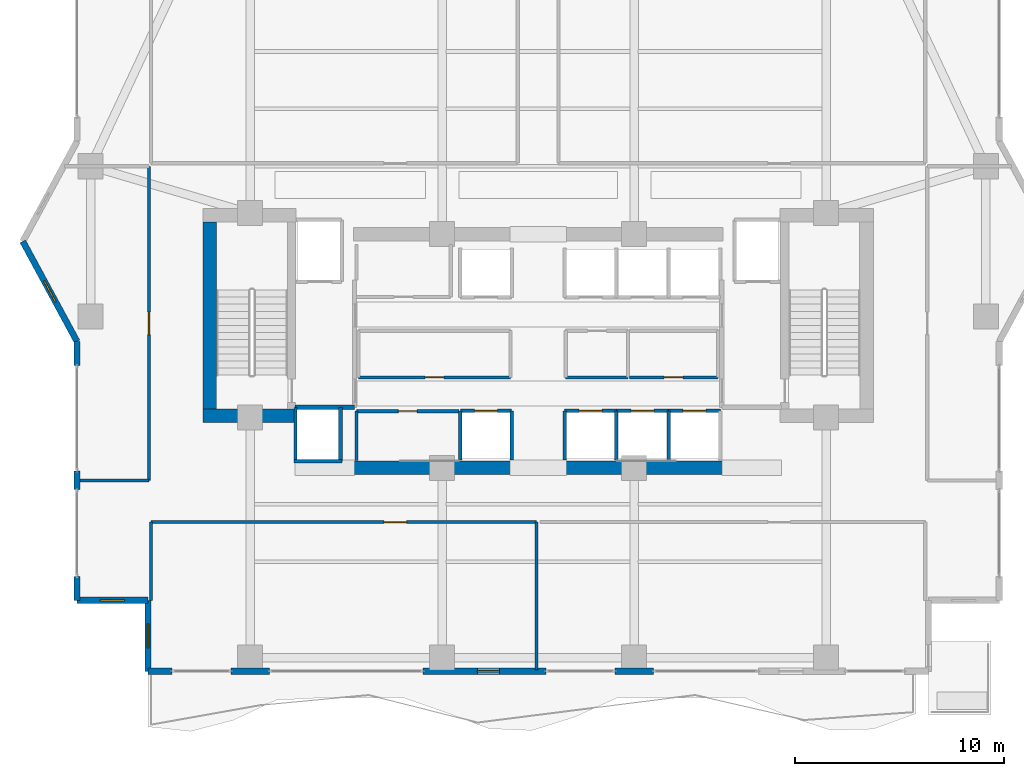
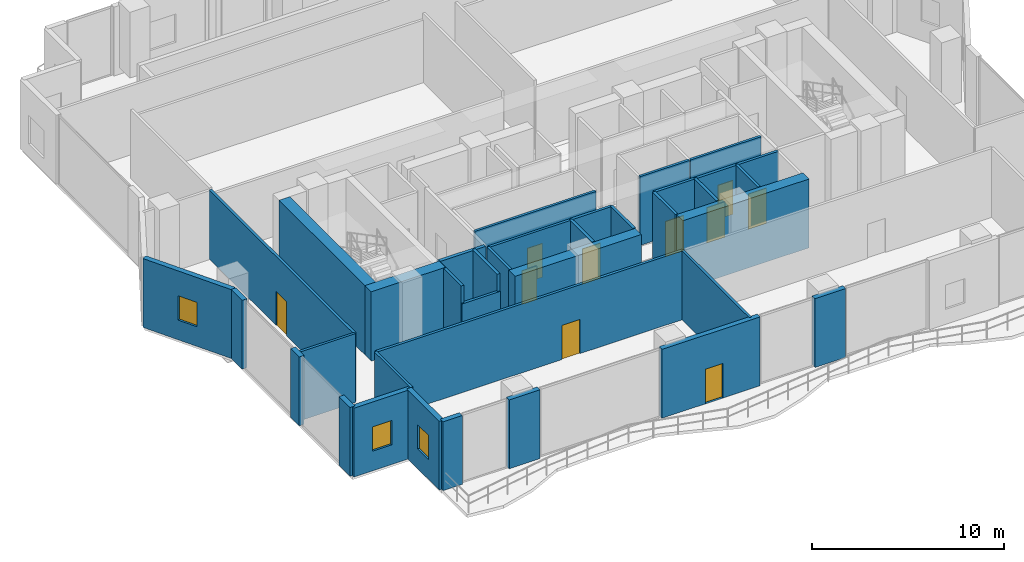
# One storey, part 26 of 33: 37 walls, 10 doors, 3 windows, 13 openings.
"""IFC4 building model written with IfcOpenShell, lengths in metres."""

from ifc_helpers import new_model, si_unit, direction, frame, frame_2d, origin, place, context, subcontext, project, spatial, rectangle, extrude, material, layer, layer_set, type_object, element, fill, save


model = new_model("IFC4")

# Units and contexts
model_context = context("Model", 3, precision=1e-05, world=origin(), true_north=direction((0.0, 1.0)))
body_context = subcontext(model_context, "Body", "Model", "MODEL_VIEW")
ifc_project = project(units=[si_unit("LENGTHUNIT", "METRE"), si_unit("AREAUNIT", "SQUARE_METRE"), si_unit("VOLUMEUNIT", "CUBIC_METRE"), si_unit("PLANEANGLEUNIT", "RADIAN"), si_unit("MASSUNIT", "GRAM", prefix="KILO")], contexts=[model_context])

# Site, building, storey
site_placement = place(None, origin())
site = spatial("IfcSite", under=ifc_project, at=site_placement, CompositionType="ELEMENT")
building_placement = place(site_placement, origin())
building = spatial("IfcBuilding", under=site, at=building_placement, Name="Zuhayl Quay Hotel", CompositionType="ELEMENT")
storey_placement = place(building_placement, frame((0.0, 0.0, 168.199951171875)))
storey = spatial("IfcBuildingStorey", under=building, at=storey_placement, Name="L42", CompositionType="ELEMENT", Elevation=168.199951171875)

# Walls
ifc_material_1 = material(Name="Concrete C50/60", Category="concrete")
ifc_layer_1 = layer(ifc_material_1, 0.64990234375, Name="Concrete C50/60", Category="concrete")
ifc_layer_set_1 = layer_set([ifc_layer_1], Name="Concrete C50/60")
wall_type_1 = type_object("IfcWallType", Name="WL_CORE_650", PredefinedType="SHEAR", material=ifc_layer_set_1)
wall_1_placement = place(storey_placement, frame((-15.735107421875, 4.969970703125, 0.0), z_axis=(0.0, 0.0, 1.0), x_axis=(0.0, 1.0, 0.0)))
element("IfcWall", 1, at=wall_1_placement, inside=storey, type_object=wall_type_1, Name="L42 Core Shear Wall CW_W", PredefinedType="SHEAR", context=body_context, shape_type="SweptSolid", body=[
    extrude(rectangle(XDim=8.9599609375, YDim=0.64990234375, at=frame_2d((4.47998046875, 0.0))), origin(), (0.0, 0.0, 1.0), 4.41015625),
])
wall_2_placement = place(storey_placement, frame((-16.06005859375, 4.64501953125, 0.0), z_axis=(0.0, 0.0, 1.0), x_axis=(1.0, 0.0, 0.0)))
element("IfcWall", 2, at=wall_2_placement, inside=storey, type_object=wall_type_1, Name="L42 Core Shear Wall CW_SW", PredefinedType="SHEAR", context=body_context, shape_type="SweptSolid", body=[
    extrude(rectangle(XDim=4.4599609375, YDim=0.64990234375, at=frame_2d((2.22998046875, 0.0))), origin(), (0.0, 0.0, 1.0), 4.41015625),
])
for number, where, z_axis, x_axis, name in (
    (3, (-8.85009765625, 2.14990234375, 0.0), (0.0, 0.0, 1.0), (1.0, 0.0, 0.0), "L42 Core Shear Wall CW_SC_W"),
    (4, (1.25, 2.14990234375, 0.0), (0.0, 0.0, 1.0), (1.0, 0.0, 0.0), "L42 Core Shear Wall CW_SC_E"),
):
    element("IfcWall", number, at=place(storey_placement, frame(where, z_axis=z_axis, x_axis=x_axis)), inside=storey, type_object=wall_type_1, Name=name, PredefinedType="SHEAR", context=body_context, shape_type="SweptSolid", body=[
        extrude(rectangle(XDim=7.60009765625, YDim=0.64990234375, at=frame_2d((3.800048828125, 0.0))), origin(), (0.0, 0.0, 1.0), 4.380126953125),
    ])

# Wall, opening, window
ifc_material_2 = material(Name="Precast concrete C45/55", Category="concrete")
ifc_layer_2 = layer(ifc_material_2, 0.300048828125, Name="Precast concrete C45/55", Category="concrete")
ifc_layer_set_2 = layer_set([ifc_layer_2], Name="Precast concrete C45/55")
wall_type_2 = type_object("IfcWallType", Name="WL_EXT_300", PredefinedType="STANDARD", material=ifc_layer_set_2)
wall_3_placement = place(storey_placement, frame((-18.699951171875, -4.199951171875, 0.0), z_axis=(0.0, 0.0, 1.0), x_axis=(-1.0, 0.0, 0.0)))
wall_3 = element("IfcWall", 5, at=wall_3_placement, inside=storey, type_object=wall_type_2, Name="L42 Exterior Precast Wall ENV_L42_EW01", PredefinedType="STANDARD", context=body_context, shape_type="SweptSolid", body=[
    extrude(rectangle(XDim=3.400146484375, YDim=0.300048828125, at=frame_2d((1.7001953125, 0.0))), origin(), (0.0, 0.0, 1.0), 4.380126953125),
])
opening_1_placement = place(wall_3_placement, frame((1.125, 0.0, 1.25)))
opening_1 = element("IfcOpeningElement", 6, at=opening_1_placement, cuts=wall_3, Name="Opening W01N", PredefinedType="OPENING", context=body_context, shape_type="SweptSolid", body=[
    extrude(rectangle(XDim=1.14990234375, YDim=1.550048828125, at=frame_2d((0.574951171875, 0.77490234375))), frame((0.0, 0.159912109375, 0.0), z_axis=(0.0, -1.0, 0.0), x_axis=(1.0, 0.0, 0.0)), (0.0, 0.0, 1.0), 0.320068359375),
])
ifc_material_3 = material(Name="Dark Ceramic-Fritted Solar Glass", Category="glass")
window_type = type_object("IfcWindowType", Name="WN_NOTCH_1350", PartitioningType="SINGLE_PANEL", PredefinedType="WINDOW", material=ifc_material_3)
window_1_placement = place(opening_1_placement, origin())
window_1 = element("IfcWindow", 7, at=window_1_placement, inside=storey, type_object=window_type, Name="L42 Corner Notch Window 1", OverallHeight=1.550048828125, OverallWidth=1.14990234375, PartitioningType="SINGLE_PANEL", PredefinedType="WINDOW", context=body_context, shape_type="SweptSolid", body=[
    extrude(rectangle(XDim=1.14990234375, YDim=1.550048828125, at=frame_2d((0.574951171875, 0.77490234375))), frame((0.0, 0.030029296875, 0.0), z_axis=(0.0, -1.0, 0.0), x_axis=(1.0, 0.0, 0.0)), (0.0, 0.0, 1.0), 0.06005859375),
])
fill(opening_1, window_1)

# Walls
wall_4_placement = place(storey_placement, frame((-22.10009765625, -4.199951171875, 0.0), z_axis=(0.0, 0.0, 1.0), x_axis=(0.0, 1.0, 0.0)))
element("IfcWall", 8, at=wall_4_placement, inside=storey, type_object=wall_type_2, Name="L42 Exterior Precast Wall ENV_L42_E02_EW1", PredefinedType="STANDARD", context=body_context, shape_type="SweptSolid", body=[
    extrude(rectangle(XDim=1.14990234375, YDim=0.300048828125, at=frame_2d((0.574951171875, 0.0))), origin(), (0.0, 0.0, 1.0), 4.380126953125),
])
wall_5_placement = place(storey_placement, frame((-22.10009765625, 1.10009765625, 0.0), z_axis=(0.0, 0.0, 1.0), x_axis=(0.0, 1.0, 0.0)))
element("IfcWall", 9, at=wall_5_placement, inside=storey, type_object=wall_type_2, Name="L42 Exterior Precast Wall ENV_L42_E02_EW2", PredefinedType="STANDARD", context=body_context, shape_type="SweptSolid", body=[
    extrude(rectangle(XDim=0.89990234375, YDim=0.300048828125, at=frame_2d((0.449951171875, 0.0))), origin(), (0.0, 0.0, 1.0), 4.380126953125),
])
wall_6_placement = place(storey_placement, frame((-22.10009765625, 7.050048828125, 0.0), z_axis=(0.0, 0.0, 1.0), x_axis=(0.0, 1.0, 0.0)))
element("IfcWall", 10, at=wall_6_placement, inside=storey, type_object=wall_type_2, Name="L42 Exterior Precast Wall ENV_L42_E02_EW3", PredefinedType="STANDARD", context=body_context, shape_type="SweptSolid", body=[
    extrude(rectangle(XDim=1.14990234375, YDim=0.300048828125, at=frame_2d((0.574951171875, 0.0))), origin(), (0.0, 0.0, 1.0), 4.380126953125),
])

# Wall, opening, window
wall_7_placement = place(storey_placement, frame((-22.10009765625, 8.199951171875, 0.0), z_axis=(0.0, 0.0, 1.0), x_axis=(-0.476258655584, 0.879305233114, 0.0)))
wall_7 = element("IfcWall", 11, at=wall_7_placement, inside=storey, type_object=wall_type_2, Name="L42 Exterior Precast Wall ENV_L42_EW03", PredefinedType="STANDARD", context=body_context, shape_type="SweptSolid", body=[
    extrude(rectangle(XDim=5.458984375, YDim=0.300048828125, at=frame_2d((2.7294921875, 0.0))), origin(), (0.0, 0.0, 1.0), 4.380126953125),
])
opening_2_placement = place(wall_7_placement, frame((2.154541015625, 0.0, 1.25)))
opening_2 = element("IfcOpeningElement", 12, at=opening_2_placement, cuts=wall_7, Name="Opening W01N", PredefinedType="OPENING", context=body_context, shape_type="SweptSolid", body=[
    extrude(rectangle(XDim=1.14990234375, YDim=1.550048828125, at=frame_2d((0.574951171875, 0.77490234375))), frame((0.0, 0.159912109375, 0.0), z_axis=(0.0, -1.0, 0.0), x_axis=(1.0, 0.0, 0.0)), (0.0, 0.0, 1.0), 0.320068359375),
])
window_2_placement = place(opening_2_placement, origin())
window_2 = element("IfcWindow", 13, at=window_2_placement, inside=storey, type_object=window_type, Name="L42 Corner Notch Window 3", OverallHeight=1.550048828125, OverallWidth=1.14990234375, PartitioningType="SINGLE_PANEL", PredefinedType="WINDOW", context=body_context, shape_type="SweptSolid", body=[
    extrude(rectangle(XDim=1.14990234375, YDim=1.550048828125, at=frame_2d((0.574951171875, 0.77490234375))), frame((0.0, 0.030029296875, 0.0), z_axis=(0.0, -1.0, 0.0), x_axis=(1.0, 0.0, 0.0)), (0.0, 0.0, 1.0), 0.06005859375),
])
fill(opening_2, window_2)

# Wall
wall_8_placement = place(storey_placement, frame((5.52001953125, -7.60009765625, 0.0), z_axis=(0.0, 0.0, 1.0), x_axis=(-1.0, 0.0, 0.0)))
element("IfcWall", 14, at=wall_8_placement, inside=storey, type_object=wall_type_2, Name="L42 Exterior Precast Wall ENV_L42_S_EW3", PredefinedType="STANDARD", context=body_context, shape_type="SweptSolid", body=[
    extrude(rectangle(XDim=1.840087890625, YDim=0.300048828125, at=frame_2d((0.919921875, 0.0))), origin(), (0.0, 0.0, 1.0), 4.380126953125),
])

# Wall, opening, door
wall_9_placement = place(storey_placement, frame((0.3701171875, -7.60009765625, 0.0), z_axis=(0.0, 0.0, 1.0), x_axis=(-1.0, 0.0, 0.0)))
wall_9 = element("IfcWall", 15, at=wall_9_placement, inside=storey, type_object=wall_type_2, Name="L42 Exterior Precast Wall ENV_L42_S_EW4", PredefinedType="STANDARD", context=body_context, shape_type="SweptSolid", body=[
    extrude(rectangle(XDim=5.89013671875, YDim=0.300048828125, at=frame_2d((2.945068359375, 0.0))), origin(), (0.0, 0.0, 1.0), 4.380126953125),
])
opening_3_placement = place(wall_9_placement, frame((2.23095703125, 0.0, 0.0)))
opening_3 = element("IfcOpeningElement", 16, at=opening_3_placement, cuts=wall_9, Name="Opening DG1", PredefinedType="OPENING", context=body_context, shape_type="SweptSolid", body=[
    extrude(rectangle(XDim=1.050048828125, YDim=2.199951171875, at=frame_2d((0.52490234375, 1.10009765625))), frame((0.0, 0.159912109375, 0.0), z_axis=(0.0, -1.0, 0.0), x_axis=(1.0, 0.0, 0.0)), (0.0, 0.0, 1.0), 0.320068359375),
])
ifc_material_4 = material(Name="Anodised Aluminium and Dark Solar Glass", Category="aluminium")
door_type_1 = type_object("IfcDoorType", Name="DR_EXT_TERR_1050", OperationType="NOTDEFINED", PredefinedType="DOOR", material=ifc_material_4)
door_1_placement = place(opening_3_placement, origin())
door_1 = element("IfcDoor", 17, at=door_1_placement, inside=storey, type_object=door_type_1, Name="L42 South Rippling Balcony Door", OperationType="SINGLE_SWING_RIGHT", OverallHeight=2.199951171875, OverallWidth=1.050048828125, PredefinedType="DOOR", context=body_context, shape_type="SweptSolid", body=[
    extrude(rectangle(XDim=1.050048828125, YDim=2.199951171875, at=frame_2d((0.52490234375, 1.10009765625))), frame((0.0, 0.02490234375, 0.0), z_axis=(0.0, -1.0, 0.0), x_axis=(1.0, 0.0, 0.0)), (0.0, 0.0, 1.0), 0.050048828125),
])
fill(opening_3, door_1)

# Walls
wall_10_placement = place(storey_placement, frame((-12.8798828125, -7.60009765625, 0.0), z_axis=(0.0, 0.0, 1.0), x_axis=(-1.0, 0.0, 0.0)))
element("IfcWall", 18, at=wall_10_placement, inside=storey, type_object=wall_type_2, Name="L42 Exterior Precast Wall ENV_L42_S_EW5", PredefinedType="STANDARD", context=body_context, shape_type="SweptSolid", body=[
    extrude(rectangle(XDim=1.840087890625, YDim=0.300048828125, at=frame_2d((0.919921875, 0.0))), origin(), (0.0, 0.0, 1.0), 4.380126953125),
])
wall_11_placement = place(storey_placement, frame((-17.550048828125, -7.60009765625, 0.0), z_axis=(0.0, 0.0, 1.0), x_axis=(-1.0, 0.0, 0.0)))
element("IfcWall", 19, at=wall_11_placement, inside=storey, type_object=wall_type_2, Name="L42 Exterior Precast Wall ENV_L42_S_EW6", PredefinedType="STANDARD", context=body_context, shape_type="SweptSolid", body=[
    extrude(rectangle(XDim=1.14990234375, YDim=0.300048828125, at=frame_2d((0.574951171875, 0.0))), origin(), (0.0, 0.0, 1.0), 4.380126953125),
])

# Wall, opening, window
wall_12_placement = place(storey_placement, frame((-18.699951171875, -7.60009765625, 0.0), z_axis=(0.0, 0.0, 1.0), x_axis=(0.0, 1.0, 0.0)))
wall_12 = element("IfcWall", 20, at=wall_12_placement, inside=storey, type_object=wall_type_2, Name="L42 Exterior Precast Wall ENV_L42_EW18", PredefinedType="STANDARD", context=body_context, shape_type="SweptSolid", body=[
    extrude(rectangle(XDim=3.400146484375, YDim=0.300048828125, at=frame_2d((1.7001953125, 0.0))), origin(), (0.0, 0.0, 1.0), 4.380126953125),
])
opening_4_placement = place(wall_12_placement, frame((1.114990234375, 0.0, 1.25)))
opening_4 = element("IfcOpeningElement", 21, at=opening_4_placement, cuts=wall_12, Name="Opening W01N", PredefinedType="OPENING", context=body_context, shape_type="SweptSolid", body=[
    extrude(rectangle(XDim=1.14990234375, YDim=1.550048828125, at=frame_2d((0.574951171875, 0.77490234375))), frame((0.0, 0.159912109375, 0.0), z_axis=(0.0, -1.0, 0.0), x_axis=(1.0, 0.0, 0.0)), (0.0, 0.0, 1.0), 0.320068359375),
])
window_3_placement = place(opening_4_placement, origin())
window_3 = element("IfcWindow", 22, at=window_3_placement, inside=storey, type_object=window_type, Name="L42 Corner Notch Window 18", OverallHeight=1.550048828125, OverallWidth=1.14990234375, PartitioningType="SINGLE_PANEL", PredefinedType="WINDOW", context=body_context, shape_type="SweptSolid", body=[
    extrude(rectangle(XDim=1.14990234375, YDim=1.550048828125, at=frame_2d((0.574951171875, 0.77490234375))), frame((0.0, 0.030029296875, 0.0), z_axis=(0.0, -1.0, 0.0), x_axis=(1.0, 0.0, 0.0)), (0.0, 0.0, 1.0), 0.06005859375),
])
fill(opening_4, window_3)

# Wall, opening, door
ifc_material_5 = material(Name="Acoustic Gypsum Partition STC-58")
ifc_layer_3 = layer(ifc_material_5, 0.14990234375, Name="Acoustic Gypsum Partition STC-58")
ifc_layer_set_3 = layer_set([ifc_layer_3], Name="Acoustic Gypsum Partition STC-58")
wall_type_3 = type_object("IfcWallType", Name="WL_PART_150", PredefinedType="PARTITIONING", material=ifc_layer_set_3)
wall_13_placement = place(storey_placement, frame((-8.7099609375, 4.860107421875, 0.0), z_axis=(0.0, 0.0, 1.0), x_axis=(1.0, 0.0, 0.0)))
wall_13 = element("IfcWall", 23, at=wall_13_placement, inside=storey, type_object=wall_type_3, Name="L42 Partition IW_L42_FLP_S_N", PredefinedType="PARTITIONING", context=body_context, shape_type="SweptSolid", body=[
    extrude(rectangle(XDim=4.919921875, YDim=0.14990234375, at=frame_2d((2.4599609375, 0.0))), origin(), (0.0, 0.0, 1.0), 4.380126953125),
])
opening_5_placement = place(wall_13_placement, frame((2.010009765625, 0.0, 0.0)))
opening_5 = element("IfcOpeningElement", 24, at=opening_5_placement, cuts=wall_13, Name="Opening D06", PredefinedType="OPENING", context=body_context, shape_type="SweptSolid", body=[
    extrude(rectangle(XDim=0.89990234375, YDim=2.14990234375, at=frame_2d((0.449951171875, 1.074951171875))), frame((0.0, 0.0849609375, 0.0), z_axis=(0.0, -1.0, 0.0), x_axis=(1.0, 0.0, 0.0)), (0.0, 0.0, 1.0), 0.169921875),
])
ifc_material_6 = material(Name="Steel ASTM A992 Grade 50", Category="steel")
door_type_2 = type_object("IfcDoorType", Name="DR_INT_900", OperationType="NOTDEFINED", PredefinedType="DOOR", material=ifc_material_6)
door_2_placement = place(opening_5_placement, origin())
door_2 = element("IfcDoor", 25, at=door_2_placement, inside=storey, type_object=door_type_2, Name="L42 Sky-Zone Butler Servery Door", OperationType="SINGLE_SWING_LEFT", OverallHeight=2.14990234375, OverallWidth=0.89990234375, PredefinedType="DOOR", context=body_context, shape_type="SweptSolid", body=[
    extrude(rectangle(XDim=0.89990234375, YDim=2.14990234375, at=frame_2d((0.449951171875, 1.074951171875))), frame((0.0, 0.02490234375, 0.0), z_axis=(0.0, -1.0, 0.0), x_axis=(1.0, 0.0, 0.0)), (0.0, 0.0, 1.0), 0.050048828125),
])
fill(opening_5, door_2)

wall_14_placement = place(storey_placement, frame((-8.610107421875, 6.47998046875, 0.0), z_axis=(0.0, 0.0, 1.0), x_axis=(1.0, 0.0, 0.0)))
wall_14 = element("IfcWall", 26, at=wall_14_placement, inside=storey, type_object=wall_type_3, Name="L42 Partition IW_L42_CORE_EL_S", PredefinedType="PARTITIONING", context=body_context, shape_type="SweptSolid", body=[
    extrude(rectangle(XDim=7.2900390625, YDim=0.14990234375, at=frame_2d((3.64501953125, 0.0))), origin(), (0.0, 0.0, 1.0), 4.380126953125),
])
opening_6_placement = place(wall_14_placement, frame((3.195068359375, 0.0, 0.0)))
opening_6 = element("IfcOpeningElement", 27, at=opening_6_placement, cuts=wall_14, Name="Opening D06", PredefinedType="OPENING", context=body_context, shape_type="SweptSolid", body=[
    extrude(rectangle(XDim=0.89990234375, YDim=2.14990234375, at=frame_2d((0.449951171875, 1.074951171875))), frame((0.0, 0.0849609375, 0.0), z_axis=(0.0, -1.0, 0.0), x_axis=(1.0, 0.0, 0.0)), (0.0, 0.0, 1.0), 0.169921875),
])
door_3_placement = place(opening_6_placement, origin())
door_3 = element("IfcDoor", 28, at=door_3_placement, inside=storey, type_object=door_type_2, Name="L42 Floor Electrical Plant Room Door", OperationType="SINGLE_SWING_LEFT", OverallHeight=2.14990234375, OverallWidth=0.89990234375, PredefinedType="DOOR", context=body_context, shape_type="SweptSolid", body=[
    extrude(rectangle(XDim=0.89990234375, YDim=2.14990234375, at=frame_2d((0.449951171875, 1.074951171875))), frame((0.0, 0.02490234375, 0.0), z_axis=(0.0, -1.0, 0.0), x_axis=(1.0, 0.0, 0.0)), (0.0, 0.0, 1.0), 0.050048828125),
])
fill(opening_6, door_3)

wall_15_placement = place(storey_placement, frame((4.3701171875, 6.47998046875, 0.0), z_axis=(0.0, 0.0, 1.0), x_axis=(1.0, 0.0, 0.0)))
wall_15 = element("IfcWall", 29, at=wall_15_placement, inside=storey, type_object=wall_type_3, Name="L42 Partition IW_L42_CORE_LN_S", PredefinedType="PARTITIONING", context=body_context, shape_type="SweptSolid", body=[
    extrude(rectangle(XDim=4.239990234375, YDim=0.14990234375, at=frame_2d((2.1201171875, 0.0))), origin(), (0.0, 0.0, 1.0), 4.380126953125),
])
opening_7_placement = place(wall_15_placement, frame((1.669921875, 0.0, 0.0)))
opening_7 = element("IfcOpeningElement", 30, at=opening_7_placement, cuts=wall_15, Name="Opening D06", PredefinedType="OPENING", context=body_context, shape_type="SweptSolid", body=[
    extrude(rectangle(XDim=0.89990234375, YDim=2.14990234375, at=frame_2d((0.449951171875, 1.074951171875))), frame((0.0, 0.0849609375, 0.0), z_axis=(0.0, -1.0, 0.0), x_axis=(1.0, 0.0, 0.0)), (0.0, 0.0, 1.0), 0.169921875),
])
door_4_placement = place(opening_7_placement, origin())
door_4 = element("IfcDoor", 31, at=door_4_placement, inside=storey, type_object=door_type_2, Name="L42 Core Linen Store Door", OperationType="SINGLE_SWING_LEFT", OverallHeight=2.14990234375, OverallWidth=0.89990234375, PredefinedType="DOOR", context=body_context, shape_type="SweptSolid", body=[
    extrude(rectangle(XDim=0.89990234375, YDim=2.14990234375, at=frame_2d((0.449951171875, 1.074951171875))), frame((0.0, 0.02490234375, 0.0), z_axis=(0.0, -1.0, 0.0), x_axis=(1.0, 0.0, 0.0)), (0.0, 0.0, 1.0), 0.050048828125),
])
fill(opening_7, door_4)

# Walls
wall_16_placement = place(storey_placement, frame((-8.7099609375, 2.489990234375, 0.0), z_axis=(0.0, 0.0, 1.0), x_axis=(0.0, 1.0, 0.0)))
element("IfcWall", 32, at=wall_16_placement, inside=storey, type_object=wall_type_3, Name="L42 Partition IW_L42_FLP_S_W", PredefinedType="PARTITIONING", context=body_context, shape_type="SweptSolid", body=[
    extrude(rectangle(XDim=2.3701171875, YDim=0.14990234375, at=frame_2d((1.18505859375, 0.0))), origin(), (0.0, 0.0, 1.0), 4.380126953125),
])
wall_17_placement = place(storey_placement, frame((1.320068359375, 6.47998046875, 0.0), z_axis=(0.0, 0.0, 1.0), x_axis=(1.0, 0.0, 0.0)))
element("IfcWall", 33, at=wall_17_placement, inside=storey, type_object=wall_type_3, Name="L42 Partition IW_L42_CORE_IT_S", PredefinedType="PARTITIONING", context=body_context, shape_type="SweptSolid", body=[
    extrude(rectangle(XDim=2.989990234375, YDim=0.14990234375, at=frame_2d((1.4951171875, 0.0))), origin(), (0.0, 0.0, 1.0), 4.380126953125),
])
wall_18_placement = place(storey_placement, frame((-22.0400390625, 1.550048828125, 0.0), z_axis=(0.0, 0.0, 1.0), x_axis=(1.0, 0.0, 0.0)))
element("IfcWall", 34, at=wall_18_placement, inside=storey, type_object=wall_type_3, Name="L42 Partition IW_L42_PROW_SPA_W_S", PredefinedType="PARTITIONING", context=body_context, shape_type="SweptSolid", body=[
    extrude(rectangle(XDim=3.39013671875, YDim=0.14990234375, at=frame_2d((1.695068359375, 0.0))), origin(), (0.0, 0.0, 1.0), 4.380126953125),
])
wall_19_placement = place(storey_placement, frame((-18.550048828125, -4.199951171875, 0.0), z_axis=(0.0, 0.0, 1.0), x_axis=(0.0, 1.0, 0.0)))
element("IfcWall", 35, at=wall_19_placement, inside=storey, type_object=wall_type_3, Name="L42 Partition IW_L42_SPA_CHANGE_W", PredefinedType="PARTITIONING", context=body_context, shape_type="SweptSolid", body=[
    extrude(rectangle(XDim=3.75, YDim=0.14990234375, at=frame_2d((1.875, 0.0))), origin(), (0.0, 0.0, 1.0), 4.380126953125),
])
wall_20_placement = place(storey_placement, frame((-0.080078125, -7.5400390625, 0.0), z_axis=(0.0, 0.0, 1.0), x_axis=(0.0, 1.0, 0.0)))
element("IfcWall", 36, at=wall_20_placement, inside=storey, type_object=wall_type_3, Name="L42 Partition IW_L42_SPA_CHANGE_E", PredefinedType="PARTITIONING", context=body_context, shape_type="SweptSolid", body=[
    extrude(rectangle(XDim=7.090087890625, YDim=0.14990234375, at=frame_2d((3.544921875, 0.0))), origin(), (0.0, 0.0, 1.0), 4.380126953125),
])

# Wall, opening, door
ifc_layer_4 = layer(ifc_material_5, 0.159912109375, Name="Acoustic Gypsum Partition STC-58")
ifc_layer_set_4 = layer_set([ifc_layer_4], Name="Acoustic Gypsum Partition STC-58")
wall_type_4 = type_object("IfcWallType", Name="WL_PART_CORR_160", PredefinedType="PARTITIONING", material=ifc_layer_set_4)
wall_21_placement = place(storey_placement, frame((-18.64990234375, 1.550048828125, 0.0), z_axis=(0.0, 0.0, 1.0), x_axis=(0.0, 1.0, 0.0)))
wall_21 = element("IfcWall", 37, at=wall_21_placement, inside=storey, type_object=wall_type_4, Name="L42 Partition IW_L42_PROW_SPA_W_E", PredefinedType="PARTITIONING", context=body_context, shape_type="SweptSolid", body=[
    extrude(rectangle(XDim=15.050048828125, YDim=0.159912109375, at=frame_2d((7.52490234375, 0.0))), origin(), (0.0, 0.0, 1.0), 4.380126953125),
])
opening_8_placement = place(wall_21_placement, frame((6.985107421875, 0.0, 0.0)))
opening_8 = element("IfcOpeningElement", 38, at=opening_8_placement, cuts=wall_21, Name="Opening D05A", PredefinedType="OPENING", context=body_context, shape_type="SweptSolid", body=[
    extrude(rectangle(XDim=1.080078125, YDim=2.179931640625, at=frame_2d((0.5400390625, 1.08984375))), frame((0.0, 0.08984375, 0.0), z_axis=(0.0, -1.0, 0.0), x_axis=(1.0, 0.0, 0.0)), (0.0, 0.0, 1.0), 0.179931640625),
])
ifc_material_7 = material(Name="Solid Walnut Acoustic Fire Door")
door_type_3 = type_object("IfcDoorType", Name="DR_INT_1100", OperationType="NOTDEFINED", PredefinedType="DOOR", material=ifc_material_7)
door_5_placement = place(opening_8_placement, origin())
door_5 = element("IfcDoor", 39, at=door_5_placement, inside=storey, type_object=door_type_3, Name="L42 West Prow Vitality Relaxation Door", OperationType="SINGLE_SWING_LEFT", OverallHeight=2.179931640625, OverallWidth=1.080078125, PredefinedType="DOOR", context=body_context, shape_type="SweptSolid", body=[
    extrude(rectangle(XDim=1.080078125, YDim=2.179931640625, at=frame_2d((0.5400390625, 1.08984375))), frame((0.0, 0.02490234375, 0.0), z_axis=(0.0, -1.0, 0.0), x_axis=(1.0, 0.0, 0.0)), (0.0, 0.0, 1.0), 0.050048828125),
])
fill(opening_8, door_5)

wall_22_placement = place(storey_placement, frame((-18.550048828125, -0.449951171875, 0.0), z_axis=(0.0, 0.0, 1.0), x_axis=(1.0, 0.0, 0.0)))
wall_22 = element("IfcWall", 40, at=wall_22_placement, inside=storey, type_object=wall_type_4, Name="L42 Partition IW_L42_SPA_CHANGE_N", PredefinedType="PARTITIONING", context=body_context, shape_type="SweptSolid", body=[
    extrude(rectangle(XDim=18.469970703125, YDim=0.159912109375, at=frame_2d((9.23486328125, 0.0))), origin(), (0.0, 0.0, 1.0), 4.380126953125),
])
opening_9_placement = place(wall_22_placement, frame((11.159912109375, 0.0, 0.0)))
opening_9 = element("IfcOpeningElement", 41, at=opening_9_placement, cuts=wall_22, Name="Opening D05A", PredefinedType="OPENING", context=body_context, shape_type="SweptSolid", body=[
    extrude(rectangle(XDim=1.080078125, YDim=2.179931640625, at=frame_2d((0.5400390625, 1.08984375))), frame((0.0, 0.08984375, 0.0), z_axis=(0.0, -1.0, 0.0), x_axis=(1.0, 0.0, 0.0)), (0.0, 0.0, 1.0), 0.179931640625),
])
door_6_placement = place(opening_9_placement, origin())
door_6 = element("IfcDoor", 42, at=door_6_placement, inside=storey, type_object=door_type_3, Name="L42 Spa Changing and Hammam Room Door", OperationType="SINGLE_SWING_LEFT", OverallHeight=2.179931640625, OverallWidth=1.080078125, PredefinedType="DOOR", context=body_context, shape_type="SweptSolid", body=[
    extrude(rectangle(XDim=1.080078125, YDim=2.179931640625, at=frame_2d((0.5400390625, 1.08984375))), frame((0.0, 0.02490234375, 0.0), z_axis=(0.0, -1.0, 0.0), x_axis=(1.0, 0.0, 0.0)), (0.0, 0.0, 1.0), 0.050048828125),
])
fill(opening_9, door_6)

ifc_material_8 = material(Name="Gypsum Fireboard Assembly EI-90")
ifc_layer_5 = layer(ifc_material_8, 0.1650390625, Name="Gypsum Fireboard Assembly EI-90")
ifc_layer_set_5 = layer_set([ifc_layer_5], Name="Gypsum Fireboard Assembly EI-90")
wall_type_5 = type_object("IfcWallType", Name="WL_PART_SHAFT_160", PredefinedType="PARTITIONING", material=ifc_layer_set_5)
wall_23_placement = place(storey_placement, frame((-3.72998046875, 4.8798828125, 0.0), z_axis=(0.0, 0.0, 1.0), x_axis=(1.0, 0.0, 0.0)))
wall_23 = element("IfcWall", 43, at=wall_23_placement, inside=storey, type_object=wall_type_5, Name="L42 Partition IW_L42_SH_MP1_F", PredefinedType="PARTITIONING", context=body_context, shape_type="SweptSolid", body=[
    extrude(rectangle(XDim=2.4599609375, YDim=0.1650390625, at=frame_2d((1.22998046875, 0.0))), origin(), (0.0, 0.0, 1.0), 4.380126953125),
])
opening_10_placement = place(wall_23_placement, frame((0.679931640625, 0.0, 0.0)))
opening_10 = element("IfcOpeningElement", 44, at=opening_10_placement, cuts=wall_23, Name="Opening LD1", PredefinedType="OPENING", context=body_context, shape_type="SweptSolid", body=[
    extrude(rectangle(XDim=1.10009765625, YDim=2.25, at=frame_2d((0.550048828125, 1.125))), frame((0.0, 0.092529296875, 0.0), z_axis=(0.0, -1.0, 0.0), x_axis=(1.0, 0.0, 0.0)), (0.0, 0.0, 1.0), 0.18505859375),
])
ifc_material_9 = material(Name="Brushed Stainless Steel", Category="steel")
door_type_4 = type_object("IfcDoorType", Name="DR_LIFT_PASS_1100", OperationType="SLIDING_TO_LEFT", PredefinedType="DOOR", material=ifc_material_9)
door_7_placement = place(opening_10_placement, origin())
door_7 = element("IfcDoor", 45, at=door_7_placement, inside=storey, type_object=door_type_4, Name="L42 Lift MP1 Sliding Landing Door", OperationType="SLIDING_TO_LEFT", OverallHeight=2.25, OverallWidth=1.10009765625, PredefinedType="DOOR", context=body_context, shape_type="SweptSolid", body=[
    extrude(rectangle(XDim=1.10009765625, YDim=2.25, at=frame_2d((0.550048828125, 1.125))), frame((0.0, 0.02490234375, 0.0), z_axis=(0.0, -1.0, 0.0), x_axis=(1.0, 0.0, 0.0)), (0.0, 0.0, 1.0), 0.050048828125),
])
fill(opening_10, door_7)

wall_24_placement = place(storey_placement, frame((1.27001953125, 4.8798828125, 0.0), z_axis=(0.0, 0.0, 1.0), x_axis=(1.0, 0.0, 0.0)))
wall_24 = element("IfcWall", 46, at=wall_24_placement, inside=storey, type_object=wall_type_5, Name="L42 Partition IW_L42_SH_MP2_F", PredefinedType="PARTITIONING", context=body_context, shape_type="SweptSolid", body=[
    extrude(rectangle(XDim=2.47998046875, YDim=0.1650390625, at=frame_2d((1.239990234375, 0.0))), origin(), (0.0, 0.0, 1.0), 4.380126953125),
])
opening_11_placement = place(wall_24_placement, frame((0.68994140625, 0.0, 0.0)))
opening_11 = element("IfcOpeningElement", 47, at=opening_11_placement, cuts=wall_24, Name="Opening LD1", PredefinedType="OPENING", context=body_context, shape_type="SweptSolid", body=[
    extrude(rectangle(XDim=1.10009765625, YDim=2.25, at=frame_2d((0.550048828125, 1.125))), frame((0.0, 0.092529296875, 0.0), z_axis=(0.0, -1.0, 0.0), x_axis=(1.0, 0.0, 0.0)), (0.0, 0.0, 1.0), 0.18505859375),
])
door_8_placement = place(opening_11_placement, origin())
door_8 = element("IfcDoor", 48, at=door_8_placement, inside=storey, type_object=door_type_4, Name="L42 Lift MP2 Sliding Landing Door", OperationType="SLIDING_TO_LEFT", OverallHeight=2.25, OverallWidth=1.10009765625, PredefinedType="DOOR", context=body_context, shape_type="SweptSolid", body=[
    extrude(rectangle(XDim=1.10009765625, YDim=2.25, at=frame_2d((0.550048828125, 1.125))), frame((0.0, 0.02490234375, 0.0), z_axis=(0.0, -1.0, 0.0), x_axis=(1.0, 0.0, 0.0)), (0.0, 0.0, 1.0), 0.050048828125),
])
fill(opening_11, door_8)

wall_25_placement = place(storey_placement, frame((3.75, 4.8798828125, 0.0), z_axis=(0.0, 0.0, 1.0), x_axis=(1.0, 0.0, 0.0)))
wall_25 = element("IfcWall", 49, at=wall_25_placement, inside=storey, type_object=wall_type_5, Name="L42 Partition IW_L42_SH_HP1_F", PredefinedType="PARTITIONING", context=body_context, shape_type="SweptSolid", body=[
    extrude(rectangle(XDim=2.5, YDim=0.1650390625, at=frame_2d((1.25, 0.0))), origin(), (0.0, 0.0, 1.0), 4.380126953125),
])
opening_12_placement = place(wall_25_placement, frame((0.699951171875, 0.0, 0.0)))
opening_12 = element("IfcOpeningElement", 50, at=opening_12_placement, cuts=wall_25, Name="Opening LD1", PredefinedType="OPENING", context=body_context, shape_type="SweptSolid", body=[
    extrude(rectangle(XDim=1.10009765625, YDim=2.25, at=frame_2d((0.550048828125, 1.125))), frame((0.0, 0.092529296875, 0.0), z_axis=(0.0, -1.0, 0.0), x_axis=(1.0, 0.0, 0.0)), (0.0, 0.0, 1.0), 0.18505859375),
])
door_9_placement = place(opening_12_placement, origin())
door_9 = element("IfcDoor", 51, at=door_9_placement, inside=storey, type_object=door_type_4, Name="L42 Lift HP1 Sliding Landing Door", OperationType="SLIDING_TO_LEFT", OverallHeight=2.25, OverallWidth=1.10009765625, PredefinedType="DOOR", context=body_context, shape_type="SweptSolid", body=[
    extrude(rectangle(XDim=1.10009765625, YDim=2.25, at=frame_2d((0.550048828125, 1.125))), frame((0.0, 0.02490234375, 0.0), z_axis=(0.0, -1.0, 0.0), x_axis=(1.0, 0.0, 0.0)), (0.0, 0.0, 1.0), 0.050048828125),
])
fill(opening_12, door_9)

wall_26_placement = place(storey_placement, frame((6.25, 4.8798828125, 0.0), z_axis=(0.0, 0.0, 1.0), x_axis=(1.0, 0.0, 0.0)))
wall_26 = element("IfcWall", 52, at=wall_26_placement, inside=storey, type_object=wall_type_5, Name="L42 Partition IW_L42_SH_HP2_F", PredefinedType="PARTITIONING", context=body_context, shape_type="SweptSolid", body=[
    extrude(rectangle(XDim=2.47998046875, YDim=0.1650390625, at=frame_2d((1.239990234375, 0.0))), origin(), (0.0, 0.0, 1.0), 4.380126953125),
])
opening_13_placement = place(wall_26_placement, frame((0.68994140625, 0.0, 0.0)))
opening_13 = element("IfcOpeningElement", 53, at=opening_13_placement, cuts=wall_26, Name="Opening LD1", PredefinedType="OPENING", context=body_context, shape_type="SweptSolid", body=[
    extrude(rectangle(XDim=1.10009765625, YDim=2.25, at=frame_2d((0.550048828125, 1.125))), frame((0.0, 0.092529296875, 0.0), z_axis=(0.0, -1.0, 0.0), x_axis=(1.0, 0.0, 0.0)), (0.0, 0.0, 1.0), 0.18505859375),
])
door_10_placement = place(opening_13_placement, origin())
door_10 = element("IfcDoor", 54, at=door_10_placement, inside=storey, type_object=door_type_4, Name="L42 Lift HP2 Sliding Landing Door", OperationType="SLIDING_TO_LEFT", OverallHeight=2.25, OverallWidth=1.10009765625, PredefinedType="DOOR", context=body_context, shape_type="SweptSolid", body=[
    extrude(rectangle(XDim=1.10009765625, YDim=2.25, at=frame_2d((0.550048828125, 1.125))), frame((0.0, 0.02490234375, 0.0), z_axis=(0.0, -1.0, 0.0), x_axis=(1.0, 0.0, 0.0)), (0.0, 0.0, 1.0), 0.050048828125),
])
fill(opening_13, door_10)

# Walls
for number, where, z_axis, x_axis, name in (
    (55, (-3.72998046875, 2.52001953125, 0.0), (0.0, 0.0, 1.0), (0.0, 1.0, 0.0), "L42 Partition IW_L42_SH_MP1_W"),
    (56, (-1.27001953125, 2.52001953125, 0.0), (0.0, 0.0, 1.0), (0.0, 1.0, 0.0), "L42 Partition IW_L42_SH_MP1_E"),
    (57, (1.27001953125, 2.52001953125, 0.0), (0.0, 0.0, 1.0), (0.0, 1.0, 0.0), "L42 Partition IW_L42_SH_MP2_W"),
    (58, (3.75, 2.52001953125, 0.0), (0.0, 0.0, 1.0), (0.0, 1.0, 0.0), "L42 Partition IW_L42_SH_MP2_E"),
    (59, (6.25, 2.52001953125, 0.0), (0.0, 0.0, 1.0), (0.0, 1.0, 0.0), "L42 Partition IW_L42_SH_HP1_E"),
):
    element("IfcWall", number, at=place(storey_placement, frame(where, z_axis=z_axis, x_axis=x_axis)), inside=storey, type_object=wall_type_5, Name=name, PredefinedType="PARTITIONING", context=body_context, shape_type="SweptSolid", body=[
        extrude(rectangle(XDim=2.35986328125, YDim=0.1650390625, at=frame_2d((1.179931640625, 0.0))), origin(), (0.0, 0.0, 1.0), 4.380126953125),
    ])
wall_27_placement = place(storey_placement, frame((-11.6298828125, 2.469970703125, 0.0), z_axis=(0.0, 0.0, 1.0), x_axis=(0.0, 1.0, 0.0)))
element("IfcWall", 60, at=wall_27_placement, inside=storey, type_object=wall_type_5, Name="L42 Partition IW_L42_RISER_W", PredefinedType="PARTITIONING", context=body_context, shape_type="SweptSolid", body=[
    extrude(rectangle(XDim=2.580078125, YDim=0.1650390625, at=frame_2d((1.2900390625, 0.0))), origin(), (0.0, 0.0, 1.0), 4.380126953125),
])
wall_28_placement = place(storey_placement, frame((-11.7099609375, 2.469970703125, 0.0), z_axis=(0.0, 0.0, 1.0), x_axis=(1.0, 0.0, 0.0)))
element("IfcWall", 61, at=wall_28_placement, inside=storey, type_object=wall_type_5, Name="L42 Partition IW_L42_RISER_S", PredefinedType="PARTITIONING", context=body_context, shape_type="SweptSolid", body=[
    extrude(rectangle(XDim=2.31005859375, YDim=0.1650390625, at=frame_2d((1.155029296875, 0.0))), origin(), (0.0, 0.0, 1.0), 3.280029296875),
])
ifc_layer_6 = layer(ifc_material_8, 0.179931640625, Name="Gypsum Fireboard Assembly EI-90")
ifc_layer_set_6 = layer_set([ifc_layer_6], Name="Gypsum Fireboard Assembly EI-90")
wall_type_6 = type_object("IfcWallType", Name="WL_PART_SHAFT_180", PredefinedType="PARTITIONING", material=ifc_layer_set_6)
wall_29_placement = place(storey_placement, frame((-9.469970703125, 2.449951171875, 0.0), z_axis=(0.0, 0.0, 1.0), x_axis=(0.0, 1.0, 0.0)))
element("IfcWall", 62, at=wall_29_placement, inside=storey, type_object=wall_type_6, Name="L42 Partition IW_L42_RISER_E", PredefinedType="PARTITIONING", context=body_context, shape_type="SweptSolid", body=[
    extrude(rectangle(XDim=2.60009765625, YDim=0.179931640625, at=frame_2d((1.300048828125, 0.0))), origin(), (0.0, 0.0, 1.0), 4.380126953125),
])
ifc_material_10 = material(Name="Gypsum Fireboard Assembly EI-120")
ifc_layer_7 = layer(ifc_material_10, 0.199951171875, Name="Gypsum Fireboard Assembly EI-120")
ifc_layer_set_7 = layer_set([ifc_layer_7], Name="Gypsum Fireboard Assembly EI-120")
wall_type_7 = type_object("IfcWallType", Name="WL_PART_SHAFT_200", PredefinedType="PARTITIONING", material=ifc_layer_set_7)
wall_30_placement = place(storey_placement, frame((-11.64990234375, 5.050048828125, 0.0), z_axis=(0.0, 0.0, 1.0), x_axis=(1.0, 0.0, 0.0)))
element("IfcWall", 63, at=wall_30_placement, inside=storey, type_object=wall_type_7, Name="L42 Partition IW_L42_FSAE_W_S", PredefinedType="PARTITIONING", context=body_context, shape_type="SweptSolid", body=[
    extrude(rectangle(XDim=2.849853515625, YDim=0.199951171875, at=frame_2d((1.4248046875, 0.0))), origin(), (0.0, 0.0, 1.0), 4.380126953125),
])

save(model, "model.ifc")
